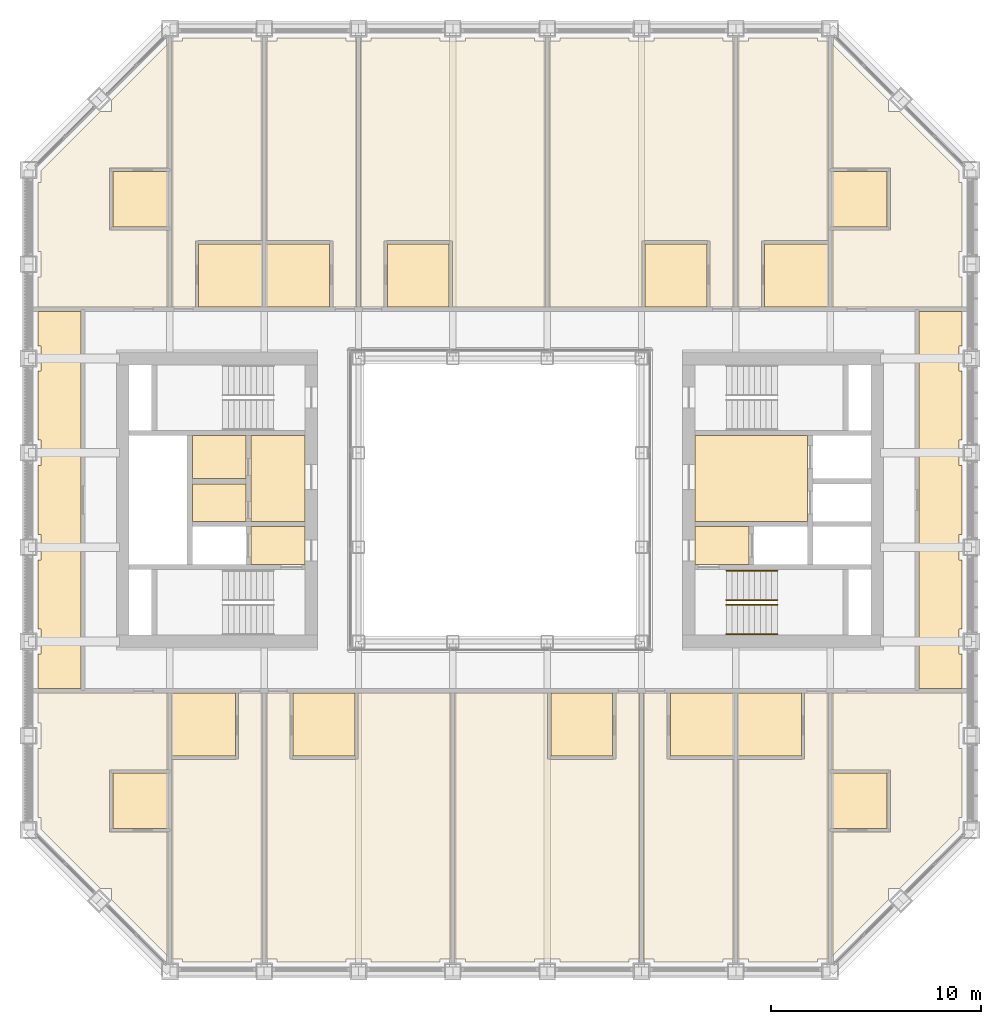
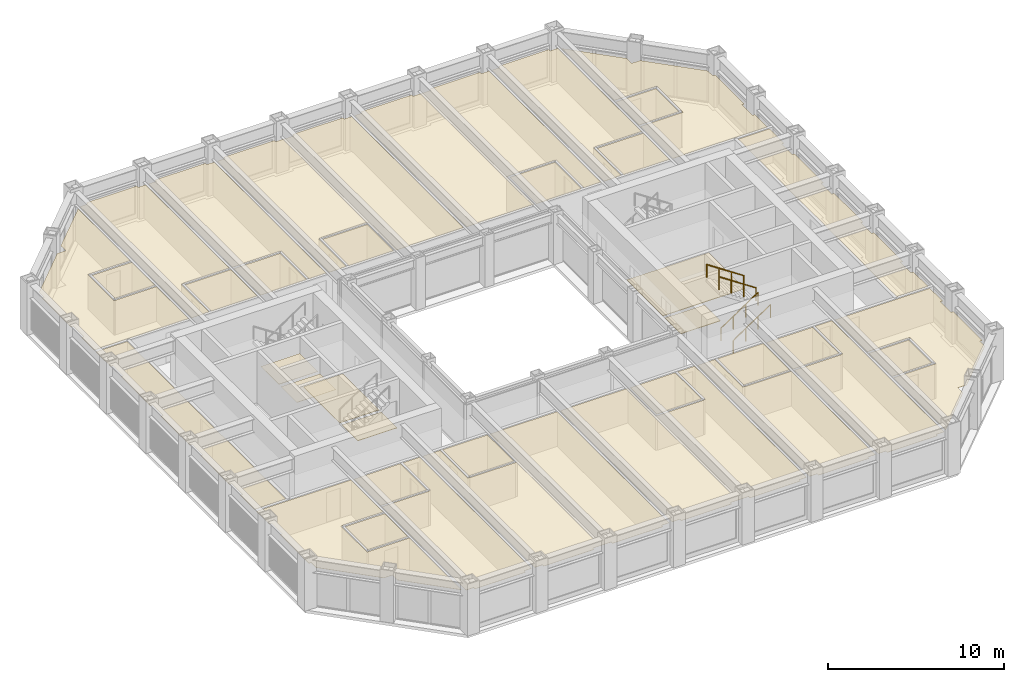
# One storey, part 16 of 17: 4 coverings, 4 railings.
"""IFC4 building model written with IfcOpenShell, lengths in metres."""

from ifc_helpers import new_model, si_unit, direction, frame, origin, origin_2d, place, context, subcontext, project, spatial, line, indexed_curve, circle, outline, extrude, material, layer, layer_set, type_object, element, save


model = new_model("IFC4")

# Units and contexts
model_context = context("Model", 3, precision=1e-05, world=origin(), true_north=direction((0.0, 1.0)))
body_context = subcontext(model_context, "Body", "Model", "MODEL_VIEW")
ifc_project = project(units=[si_unit("LENGTHUNIT", "METRE"), si_unit("AREAUNIT", "SQUARE_METRE"), si_unit("VOLUMEUNIT", "CUBIC_METRE"), si_unit("PLANEANGLEUNIT", "RADIAN"), si_unit("MASSUNIT", "GRAM", prefix="KILO")], contexts=[model_context])

# Site, building, storey
site_placement = place(None, origin())
site = spatial("IfcSite", under=ifc_project, at=site_placement, CompositionType="ELEMENT")
building_placement = place(site_placement, origin())
building = spatial("IfcBuilding", under=site, at=building_placement, Name="Msasa Ring Tower", CompositionType="ELEMENT")
storey_placement = place(building_placement, frame((0.0, 0.0, 136.39990234375)))
storey = spatial("IfcBuildingStorey", under=building, at=storey_placement, Name="L35", CompositionType="ELEMENT", Elevation=136.39990234375)

# Coverings
ifc_material_1 = material(Name="Gypsum plasterboard on a steel suspension grid", Category="steel")
ifc_layer_1 = layer(ifc_material_1, 0.014892578125)
ifc_layer_set_1 = layer_set([ifc_layer_1], Name="C1 SUSPENDED PLASTERBOARD CEILING 15")
covering_type_1 = type_object("IfcCoveringType", Name="C1 SUSPENDED PLASTERBOARD CEILING 15", PredefinedType="CEILING", material=ifc_layer_set_1)
covering_1_placement = place(storey_placement, frame((0.0, 0.0, 2.408203125)))
element("IfcCovering", 1, at=covering_1_placement, inside=storey, type_object=covering_type_1, Name="Suspended Plasterboard Ceiling 15 L35", PredefinedType="CEILING", context=body_context, shape_type="SweptSolid", body=[
    extrude(outline(indexed_curve([(-15.8505859375, -21.762451171875), (-18.5244140625, -19.08837890625), (-18.5244140625, -18.5244140625), (-19.08837890625, -18.5244140625), (-21.8994140625, -15.71337890625), (-21.8994140625, -15.1494140625), (-22.049560546875, -15.1494140625), (-22.049560546875, -11.8505859375), (-21.8994140625, -11.8505859375), (-21.8994140625, -10.6494140625), (-22.049560546875, -10.6494140625), (-22.049560546875, -9.200439453125), (-15.8505859375, -9.200439453125), (-15.8505859375, -12.869384765625), (-18.630615234375, -12.869384765625), (-18.630615234375, -15.83056640625), (-15.8505859375, -15.83056640625)], segments=[line(1, 2, 3, 4, 5, 6, 7, 8, 9, 10, 11, 12, 13, 14, 15, 16, 17, 1)], self_intersect=False)), origin(), (0.0, 0.0, 1.0), 0.014892578125),
    extrude(outline(indexed_curve([(-18.630615234375, 12.869384765625), (-15.8505859375, 12.869384765625), (-15.8505859375, 9.200439453125), (-22.049560546875, 9.200439453125), (-22.049560546875, 10.6494140625), (-21.8994140625, 10.6494140625), (-21.8994140625, 11.8505859375), (-22.049560546875, 11.8505859375), (-22.049560546875, 15.1494140625), (-21.8994140625, 15.1494140625), (-21.8994140625, 15.71337890625), (-19.08837890625, 18.5244140625), (-18.5244140625, 18.5244140625), (-18.5244140625, 19.08837890625), (-15.8505859375, 21.762451171875), (-15.8505859375, 15.83056640625), (-18.630615234375, 15.83056640625)], segments=[line(1, 2, 3, 4, 5, 6, 7, 8, 9, 10, 11, 12, 13, 14, 15, 16, 17, 1)], self_intersect=False)), origin(), (0.0, 0.0, 1.0), 0.014892578125),
    extrude(outline(indexed_curve([(-12.60009765625, -12.3505859375), (-12.474609375, -12.35009765625), (-12.474609375, -9.200439453125), (-11.3505859375, -9.200439453125), (-11.3505859375, -21.8994140625), (-11.8505859375, -21.8994140625), (-11.8505859375, -22.049560546875), (-15.1494140625, -22.049560546875), (-15.1494140625, -21.8994140625), (-15.6494140625, -21.8994140625), (-15.6494140625, -12.37548828125), (-12.60009765625, -12.37548828125)], segments=[line(1, 2, 3, 4, 5, 6, 7, 8, 9, 10, 11, 12, 1)], self_intersect=False)), origin(), (0.0, 0.0, 1.0), 0.014892578125),
    extrude(outline(indexed_curve([(-14.39990234375, 12.3505859375), (-14.525390625, 12.35009765625), (-14.525390625, 9.200439453125), (-15.6494140625, 9.200439453125), (-15.6494140625, 21.8994140625), (-15.1494140625, 21.8994140625), (-15.1494140625, 22.049560546875), (-11.8505859375, 22.049560546875), (-11.8505859375, 21.8994140625), (-11.3505859375, 21.8994140625), (-11.3505859375, 12.37548828125), (-14.39990234375, 12.37548828125)], segments=[line(1, 2, 3, 4, 5, 6, 7, 8, 9, 10, 11, 12, 1)], self_intersect=False)), origin(), (0.0, 0.0, 1.0), 0.014892578125),
    extrude(outline(indexed_curve([(-9.89990234375, -12.3505859375), (-9.89990234375, -12.37548828125), (-6.89990234375, -12.37548828125), (-6.89990234375, -12.3505859375), (-6.7744140625, -12.35009765625), (-6.7744140625, -9.200439453125), (-2.3505859375, -9.200439453125), (-2.3505859375, -21.8994140625), (-2.8505859375, -21.8994140625), (-2.8505859375, -22.049560546875), (-6.1494140625, -22.049560546875), (-6.1494140625, -21.8994140625), (-7.3505859375, -21.8994140625), (-7.3505859375, -22.049560546875), (-10.6494140625, -22.049560546875), (-10.6494140625, -21.8994140625), (-11.1494140625, -21.8994140625), (-11.1494140625, -9.200439453125), (-10.025390625, -9.200439453125), (-10.025390625, -12.35009765625)], segments=[line(1, 2, 3, 4, 5, 6, 7, 8, 9, 10, 11, 12, 13, 14, 15, 16, 17, 18, 19, 20, 1)], self_intersect=False)), origin(), (0.0, 0.0, 1.0), 0.014892578125),
    extrude(outline(indexed_curve([(-7.3505859375, 22.049560546875), (-7.3505859375, 21.8994140625), (-6.8505859375, 21.8994140625), (-6.8505859375, 9.200439453125), (-7.974609375, 9.200439453125), (-7.974609375, 12.35009765625), (-8.10009765625, 12.3505859375), (-8.10009765625, 12.37548828125), (-11.1494140625, 12.37548828125), (-11.1494140625, 21.8994140625), (-10.6494140625, 21.8994140625), (-10.6494140625, 22.049560546875)], segments=[line(1, 2, 3, 4, 5, 6, 7, 8, 9, 10, 11, 12, 1)], self_intersect=False)), origin(), (0.0, 0.0, 1.0), 0.014892578125),
    extrude(outline(indexed_curve([(-2.39990234375, 12.3505859375), (-2.39990234375, 12.37548828125), (-5.39990234375, 12.37548828125), (-5.39990234375, 12.3505859375), (-5.525390625, 12.35009765625), (-5.525390625, 9.200439453125), (-6.6494140625, 9.200439453125), (-6.6494140625, 21.8994140625), (-6.1494140625, 21.8994140625), (-6.1494140625, 22.049560546875), (-2.8505859375, 22.049560546875), (-2.8505859375, 21.8994140625), (-1.6494140625, 21.8994140625), (-1.6494140625, 22.049560546875), (1.6494140625, 22.049560546875), (1.6494140625, 21.8994140625), (2.1494140625, 21.8994140625), (2.1494140625, 9.200439453125), (-2.2744140625, 9.200439453125), (-2.2744140625, 12.35009765625)], segments=[line(1, 2, 3, 4, 5, 6, 7, 8, 9, 10, 11, 12, 13, 14, 15, 16, 17, 18, 19, 20, 1)], self_intersect=False)), origin(), (0.0, 0.0, 1.0), 0.014892578125),
    extrude(outline(indexed_curve([(2.2744140625, -12.35009765625), (2.39990234375, -12.3505859375), (2.39990234375, -12.37548828125), (5.39990234375, -12.37548828125), (5.39990234375, -12.3505859375), (5.525390625, -12.35009765625), (5.525390625, -9.200439453125), (6.6494140625, -9.200439453125), (6.6494140625, -21.8994140625), (6.1494140625, -21.8994140625), (6.1494140625, -22.049560546875), (2.8505859375, -22.049560546875), (2.8505859375, -21.8994140625), (1.6494140625, -21.8994140625), (1.6494140625, -22.049560546875), (-1.6494140625, -22.049560546875), (-1.6494140625, -21.8994140625), (-2.1494140625, -21.8994140625), (-2.1494140625, -9.200439453125), (2.2744140625, -9.200439453125)], segments=[line(1, 2, 3, 4, 5, 6, 7, 8, 9, 10, 11, 12, 13, 14, 15, 16, 17, 18, 19, 20, 1)], self_intersect=False)), origin(), (0.0, 0.0, 1.0), 0.014892578125),
    extrude(outline(indexed_curve([(9.89990234375, 12.3505859375), (9.89990234375, 12.37548828125), (6.89990234375, 12.37548828125), (6.89990234375, 12.3505859375), (6.7744140625, 12.35009765625), (6.7744140625, 9.200439453125), (2.3505859375, 9.200439453125), (2.3505859375, 21.8994140625), (2.8505859375, 21.8994140625), (2.8505859375, 22.049560546875), (6.1494140625, 22.049560546875), (6.1494140625, 21.8994140625), (7.3505859375, 21.8994140625), (7.3505859375, 22.049560546875), (10.6494140625, 22.049560546875), (10.6494140625, 21.8994140625), (11.1494140625, 21.8994140625), (11.1494140625, 9.200439453125), (10.025390625, 9.200439453125), (10.025390625, 12.35009765625)], segments=[line(1, 2, 3, 4, 5, 6, 7, 8, 9, 10, 11, 12, 13, 14, 15, 16, 17, 18, 19, 20, 1)], self_intersect=False)), origin(), (0.0, 0.0, 1.0), 0.014892578125),
    extrude(outline(indexed_curve([(7.3505859375, -22.049560546875), (7.3505859375, -21.8994140625), (6.8505859375, -21.8994140625), (6.8505859375, -9.200439453125), (7.974609375, -9.200439453125), (7.974609375, -12.35009765625), (8.10009765625, -12.3505859375), (8.10009765625, -12.37548828125), (11.1494140625, -12.37548828125), (11.1494140625, -21.8994140625), (10.6494140625, -21.8994140625), (10.6494140625, -22.049560546875)], segments=[line(1, 2, 3, 4, 5, 6, 7, 8, 9, 10, 11, 12, 1)], self_intersect=False)), origin(), (0.0, 0.0, 1.0), 0.014892578125),
    extrude(outline(indexed_curve([(14.39990234375, -12.3505859375), (14.525390625, -12.35009765625), (14.525390625, -9.200439453125), (15.6494140625, -9.200439453125), (15.6494140625, -21.8994140625), (15.1494140625, -21.8994140625), (15.1494140625, -22.049560546875), (11.8505859375, -22.049560546875), (11.8505859375, -21.8994140625), (11.3505859375, -21.8994140625), (11.3505859375, -12.37548828125), (14.39990234375, -12.37548828125)], segments=[line(1, 2, 3, 4, 5, 6, 7, 8, 9, 10, 11, 12, 1)], self_intersect=False)), origin(), (0.0, 0.0, 1.0), 0.014892578125),
    extrude(outline(indexed_curve([(12.60009765625, 12.3505859375), (12.474609375, 12.35009765625), (12.474609375, 9.200439453125), (11.3505859375, 9.200439453125), (11.3505859375, 21.8994140625), (11.8505859375, 21.8994140625), (11.8505859375, 22.049560546875), (15.1494140625, 22.049560546875), (15.1494140625, 21.8994140625), (15.6494140625, 21.8994140625), (15.6494140625, 12.37548828125), (12.60009765625, 12.37548828125)], segments=[line(1, 2, 3, 4, 5, 6, 7, 8, 9, 10, 11, 12, 1)], self_intersect=False)), origin(), (0.0, 0.0, 1.0), 0.014892578125),
    extrude(outline(indexed_curve([(18.630615234375, -12.869384765625), (15.8505859375, -12.869384765625), (15.8505859375, -9.200439453125), (22.049560546875, -9.200439453125), (22.049560546875, -10.6494140625), (21.8994140625, -10.6494140625), (21.8994140625, -11.8505859375), (22.049560546875, -11.8505859375), (22.049560546875, -15.1494140625), (21.8994140625, -15.1494140625), (21.8994140625, -15.71337890625), (19.08837890625, -18.5244140625), (18.5244140625, -18.5244140625), (18.5244140625, -19.08837890625), (15.8505859375, -21.762451171875), (15.8505859375, -15.83056640625), (18.630615234375, -15.83056640625)], segments=[line(1, 2, 3, 4, 5, 6, 7, 8, 9, 10, 11, 12, 13, 14, 15, 16, 17, 1)], self_intersect=False)), origin(), (0.0, 0.0, 1.0), 0.014892578125),
    extrude(outline(indexed_curve([(15.8505859375, 21.762451171875), (18.5244140625, 19.08837890625), (18.5244140625, 18.5244140625), (19.08837890625, 18.5244140625), (21.8994140625, 15.71337890625), (21.8994140625, 15.1494140625), (22.049560546875, 15.1494140625), (22.049560546875, 11.8505859375), (21.8994140625, 11.8505859375), (21.8994140625, 10.6494140625), (22.049560546875, 10.6494140625), (22.049560546875, 9.200439453125), (15.8505859375, 9.200439453125), (15.8505859375, 12.869384765625), (18.630615234375, 12.869384765625), (18.630615234375, 15.83056640625), (15.8505859375, 15.83056640625)], segments=[line(1, 2, 3, 4, 5, 6, 7, 8, 9, 10, 11, 12, 13, 14, 15, 16, 17, 1)], self_intersect=False)), origin(), (0.0, 0.0, 1.0), 0.014892578125),
])
ifc_material_2 = material(Name="Moisture-resistant gypsum plasterboard on a steel suspension grid", Category="steel")
ifc_layer_2 = layer(ifc_material_2, 0.014892578125)
ifc_layer_set_2 = layer_set([ifc_layer_2], Name="C2 MOISTURE-RESISTANT PLASTERBOARD CEILING 15")
covering_type_2 = type_object("IfcCoveringType", Name="C2 MOISTURE-RESISTANT PLASTERBOARD CEILING 15", PredefinedType="CEILING", material=ifc_layer_set_2)
covering_2_placement = place(storey_placement, frame((0.0, 0.0, 2.400146484375)))
element("IfcCovering", 2, at=covering_2_placement, inside=storey, type_object=covering_type_2, Name="Moisture-Resistant Plasterboard Ceiling 15 L35", PredefinedType="CEILING", context=body_context, shape_type="SweptSolid", body=[
    extrude(outline(indexed_curve([(-18.469482421875, -15.66943359375), (-18.469482421875, -13.030517578125), (-15.8505859375, -13.030517578125), (-15.8505859375, -15.66943359375)], segments=[line(1, 2, 3, 4, 1)], self_intersect=False)), origin(), (0.0, 0.0, 1.0), 0.014892578125),
    extrude(outline(indexed_curve([(-18.469482421875, 15.66943359375), (-15.8505859375, 15.66943359375), (-15.8505859375, 13.030517578125), (-18.469482421875, 13.030517578125)], segments=[line(1, 2, 3, 4, 1)], self_intersect=False)), origin(), (0.0, 0.0, 1.0), 0.014892578125),
    extrude(outline(indexed_curve([(-15.6494140625, -9.200439453125), (-12.62548828125, -9.200439453125), (-12.62548828125, -12.224609375), (-15.6494140625, -12.224609375)], segments=[line(1, 2, 3, 4, 1)], self_intersect=False)), origin(), (0.0, 0.0, 1.0), 0.014892578125),
    extrude(outline(indexed_curve([(-14.674560546875, 0.7744140625), (-12.12548828125, 0.7744140625), (-12.12548828125, -1.0244140625), (-14.674560546875, -1.0244140625)], segments=[line(1, 2, 3, 4, 1)], self_intersect=False)), origin(), (0.0, 0.0, 1.0), 0.014892578125),
    extrude(outline(indexed_curve([(-11.3505859375, 9.200439453125), (-14.37451171875, 9.200439453125), (-14.37451171875, 12.224609375), (-11.3505859375, 12.224609375)], segments=[line(1, 2, 3, 4, 1)], self_intersect=False)), origin(), (0.0, 0.0, 1.0), 0.014892578125),
    extrude(outline(indexed_curve([(-11.1494140625, 12.224609375), (-8.12548828125, 12.224609375), (-8.12548828125, 9.200439453125), (-11.1494140625, 9.200439453125)], segments=[line(1, 2, 3, 4, 1)], self_intersect=False)), origin(), (0.0, 0.0, 1.0), 0.014892578125),
    extrude(outline(indexed_curve([(-6.925537109375, -9.200439453125), (-6.925537109375, -12.224609375), (-9.87451171875, -12.224609375), (-9.87451171875, -9.200439453125)], segments=[line(1, 2, 3, 4, 1)], self_intersect=False)), origin(), (0.0, 0.0, 1.0), 0.014892578125),
    extrude(outline(indexed_curve([(-5.37451171875, 9.200439453125), (-5.37451171875, 12.224609375), (-2.425537109375, 12.224609375), (-2.425537109375, 9.200439453125)], segments=[line(1, 2, 3, 4, 1)], self_intersect=False)), origin(), (0.0, 0.0, 1.0), 0.014892578125),
    extrude(outline(indexed_curve([(5.37451171875, -9.200439453125), (5.37451171875, -12.224609375), (2.425537109375, -12.224609375), (2.425537109375, -9.200439453125)], segments=[line(1, 2, 3, 4, 1)], self_intersect=False)), origin(), (0.0, 0.0, 1.0), 0.014892578125),
    extrude(outline(indexed_curve([(6.925537109375, 9.200439453125), (6.925537109375, 12.224609375), (9.87451171875, 12.224609375), (9.87451171875, 9.200439453125)], segments=[line(1, 2, 3, 4, 1)], self_intersect=False)), origin(), (0.0, 0.0, 1.0), 0.014892578125),
    extrude(outline(indexed_curve([(11.1494140625, -9.200439453125), (11.1494140625, -12.224609375), (8.12548828125, -12.224609375), (8.12548828125, -9.200439453125)], segments=[line(1, 2, 3, 4, 1)], self_intersect=False)), origin(), (0.0, 0.0, 1.0), 0.014892578125),
    extrude(outline(indexed_curve([(11.3505859375, -9.200439453125), (14.37451171875, -9.200439453125), (14.37451171875, -12.224609375), (11.3505859375, -12.224609375)], segments=[line(1, 2, 3, 4, 1)], self_intersect=False)), origin(), (0.0, 0.0, 1.0), 0.014892578125),
    extrude(outline(indexed_curve([(15.6494140625, 9.200439453125), (12.62548828125, 9.200439453125), (12.62548828125, 12.224609375), (15.6494140625, 12.224609375)], segments=[line(1, 2, 3, 4, 1)], self_intersect=False)), origin(), (0.0, 0.0, 1.0), 0.014892578125),
    extrude(outline(indexed_curve([(15.8505859375, -13.030517578125), (18.469482421875, -13.030517578125), (18.469482421875, -15.66943359375), (15.8505859375, -15.66943359375)], segments=[line(1, 2, 3, 4, 1)], self_intersect=False)), origin(), (0.0, 0.0, 1.0), 0.014892578125),
    extrude(outline(indexed_curve([(15.8505859375, 15.66943359375), (18.469482421875, 15.66943359375), (18.469482421875, 13.030517578125), (15.8505859375, 13.030517578125)], segments=[line(1, 2, 3, 4, 1)], self_intersect=False)), origin(), (0.0, 0.0, 1.0), 0.014892578125),
])
ifc_material_3 = material(Name="Mineral fibre ceiling tiles on an exposed steel grid", Category="steel")
ifc_layer_3 = layer(ifc_material_3, 0.02001953125)
ifc_layer_set_3 = layer_set([ifc_layer_3], Name="C3 ACOUSTIC MINERAL FIBRE TILE CEILING 20")
covering_type_3 = type_object("IfcCoveringType", Name="C3 ACOUSTIC MINERAL FIBRE TILE CEILING 20", PredefinedType="CEILING", material=ifc_layer_set_3)
covering_3_placement = place(storey_placement, frame((0.0, 0.0, 2.4091796875)))
element("IfcCovering", 3, at=covering_3_placement, inside=storey, type_object=covering_type_3, Name="Acoustic Mineral Fibre Tile Ceiling 20 L35", PredefinedType="CEILING", context=body_context, shape_type="SweptSolid", body=[
    extrude(outline(indexed_curve([(-22.049560546875, -8.99951171875), (-22.049560546875, -7.3505859375), (-21.8994140625, -7.3505859375), (-21.8994140625, -6.1494140625), (-22.049560546875, -6.1494140625), (-22.049560546875, -2.8505859375), (-21.8994140625, -2.8505859375), (-21.8994140625, -1.6494140625), (-22.049560546875, -1.6494140625), (-22.049560546875, 1.6494140625), (-21.8994140625, 1.6494140625), (-21.8994140625, 2.8505859375), (-22.049560546875, 2.8505859375), (-22.049560546875, 6.1494140625), (-21.8994140625, 6.1494140625), (-21.8994140625, 7.3505859375), (-22.049560546875, 7.3505859375), (-22.049560546875, 8.99951171875), (-20.00048828125, 8.99951171875), (-20.00048828125, -8.99951171875)], segments=[line(1, 2, 3, 4, 5, 6, 7, 8, 9, 10, 11, 12, 13, 14, 15, 16, 17, 18, 19, 20, 1)], self_intersect=False)), origin(), (0.0, 0.0, 1.0), 0.02001953125),
    extrude(outline(indexed_curve([(-12.12548828125, 1.025390625), (-14.674560546875, 1.025390625), (-14.674560546875, 3.074462890625), (-12.12548828125, 3.074462890625)], segments=[line(1, 2, 3, 4, 1)], self_intersect=False)), origin(), (0.0, 0.0, 1.0), 0.02001953125),
    extrude(outline(indexed_curve([(22.049560546875, 8.99951171875), (22.049560546875, 7.3505859375), (21.8994140625, 7.3505859375), (21.8994140625, 6.1494140625), (22.049560546875, 6.1494140625), (22.049560546875, 2.8505859375), (21.8994140625, 2.8505859375), (21.8994140625, 1.6494140625), (22.049560546875, 1.6494140625), (22.049560546875, -1.6494140625), (21.8994140625, -1.6494140625), (21.8994140625, -2.8505859375), (22.049560546875, -2.8505859375), (22.049560546875, -6.1494140625), (21.8994140625, -6.1494140625), (21.8994140625, -7.3505859375), (22.049560546875, -7.3505859375), (22.049560546875, -8.99951171875), (20.00048828125, -8.99951171875), (20.00048828125, 8.99951171875)], segments=[line(1, 2, 3, 4, 5, 6, 7, 8, 9, 10, 11, 12, 13, 14, 15, 16, 17, 18, 19, 20, 1)], self_intersect=False)), origin(), (0.0, 0.0, 1.0), 0.02001953125),
])
ifc_material_4 = material(Name="Honed granite tiles on a mortar bed", Category="masonry")
ifc_layer_4 = layer(ifc_material_4, 0.030029296875)
ifc_layer_set_4 = layer_set([ifc_layer_4], Name="F1 HONED GRANITE ON BEDDING 30")
covering_type_4 = type_object("IfcCoveringType", Name="F1 HONED GRANITE ON BEDDING 30", PredefinedType="FLOORING", material=ifc_layer_set_4)
covering_4_placement = place(storey_placement, origin())
element("IfcCovering", 4, at=covering_4_placement, inside=storey, type_object=covering_type_4, Name="Honed Granite On Bedding 30 L35", PredefinedType="FLOORING", context=body_context, shape_type="SweptSolid", body=[
    extrude(outline(indexed_curve([(-11.87451171875, -3.074462890625), (-11.87451171875, -1.275390625), (-9.300537109375, -1.275390625), (-9.300537109375, -3.074462890625)], segments=[line(1, 2, 3, 4, 1)], self_intersect=False)), origin(), (0.0, 0.0, 1.0), 0.030029296875),
    extrude(outline(indexed_curve([(-11.87451171875, -1.0244140625), (-11.87451171875, 3.074462890625), (-9.300537109375, 3.074462890625), (-9.300537109375, -1.0244140625)], segments=[line(1, 2, 3, 4, 1)], self_intersect=False)), origin(), (0.0, 0.0, 1.0), 0.030029296875),
    extrude(outline(indexed_curve([(9.300537109375, -3.074462890625), (9.300537109375, -1.275390625), (11.87451171875, -1.275390625), (11.87451171875, -3.074462890625)], segments=[line(1, 2, 3, 4, 1)], self_intersect=False)), origin(), (0.0, 0.0, 1.0), 0.030029296875),
    extrude(outline(indexed_curve([(9.300537109375, -1.0244140625), (9.300537109375, 3.074462890625), (14.674560546875, 3.074462890625), (14.674560546875, -1.0244140625)], segments=[line(1, 2, 3, 4, 1)], self_intersect=False)), origin(), (0.0, 0.0, 1.0), 0.030029296875),
])

# Railings
ifc_material_5 = material(Name="Stainless steel", Category="steel")
railing_type = type_object("IfcRailingType", Name="HR1 HANDRAIL 900", PredefinedType="HANDRAIL", material=ifc_material_5)
for number, where, name in (
    (5, (10.800048828125, -6.39990234375, 0.18017578125), "Handrail stair SEA L35 1"),
    (6, (10.800048828125, -5.0, 0.18017578125), "Handrail stair SEA L35 2"),
):
    element("IfcRailing", number, at=place(storey_placement, frame(where)), inside=storey, type_object=railing_type, Name=name, PredefinedType="HANDRAIL", context=body_context, shape_type="SweptSolid", body=[
        extrude(circle(Radius=0.02392578125, at=origin_2d()), frame((0.0, 0.0, 0.8759765625), z_axis=(0.832063155534, 0.0, 0.554680903946), x_axis=(0.0, 1.0, 0.0)), (0.0, 0.0, 1.0), 2.92041015625),
        extrude(circle(Radius=0.02099609375, at=origin_2d()), origin(), (0.0, 0.0, 1.0), 0.851806640625),
        extrude(circle(Radius=0.02099609375, at=origin_2d()), frame((0.81005859375, 0.0, 0.5400390625)), (0.0, 0.0, 1.0), 0.851806640625),
        extrude(circle(Radius=0.02099609375, at=origin_2d()), frame((1.619873046875, 0.0, 1.079833984375)), (0.0, 0.0, 1.0), 0.851806640625),
        extrude(circle(Radius=0.02099609375, at=origin_2d()), frame((2.429931640625, 0.0, 1.619873046875)), (0.0, 0.0, 1.0), 0.851806640625),
    ])
for number, where, name in (
    (7, (13.22998046875, -4.77490234375, 1.97998046875), "Handrail stair SEA L35 3"),
    (8, (13.22998046875, -3.375, 1.97998046875), "Handrail stair SEA L35 4"),
):
    element("IfcRailing", number, at=place(storey_placement, frame(where)), inside=storey, type_object=railing_type, Name=name, PredefinedType="HANDRAIL", context=body_context, shape_type="SweptSolid", body=[
        extrude(circle(Radius=0.02392578125, at=origin_2d()), frame((0.0, 0.0, 0.8759765625), z_axis=(-0.832024571796, 0.0, 0.554738778101), x_axis=(0.0, -1.0, 0.0)), (0.0, 0.0, 1.0), 2.92041015625),
        extrude(circle(Radius=0.02099609375, at=origin_2d()), origin(), (0.0, 0.0, 1.0), 0.851806640625),
        extrude(circle(Radius=0.02099609375, at=origin_2d()), frame((-0.81005859375, 0.0, 0.5400390625)), (0.0, 0.0, 1.0), 0.851806640625),
        extrude(circle(Radius=0.02099609375, at=origin_2d()), frame((-1.619873046875, 0.0, 1.080078125)), (0.0, 0.0, 1.0), 0.851806640625),
        extrude(circle(Radius=0.02099609375, at=origin_2d()), frame((-2.429931640625, 0.0, 1.6201171875)), (0.0, 0.0, 1.0), 0.851806640625),
    ])

save(model, "model.ifc")
